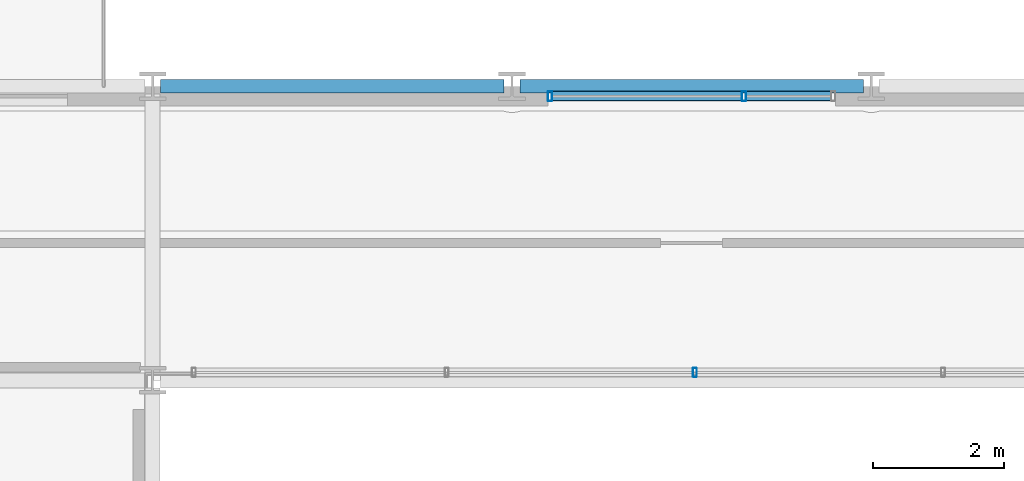
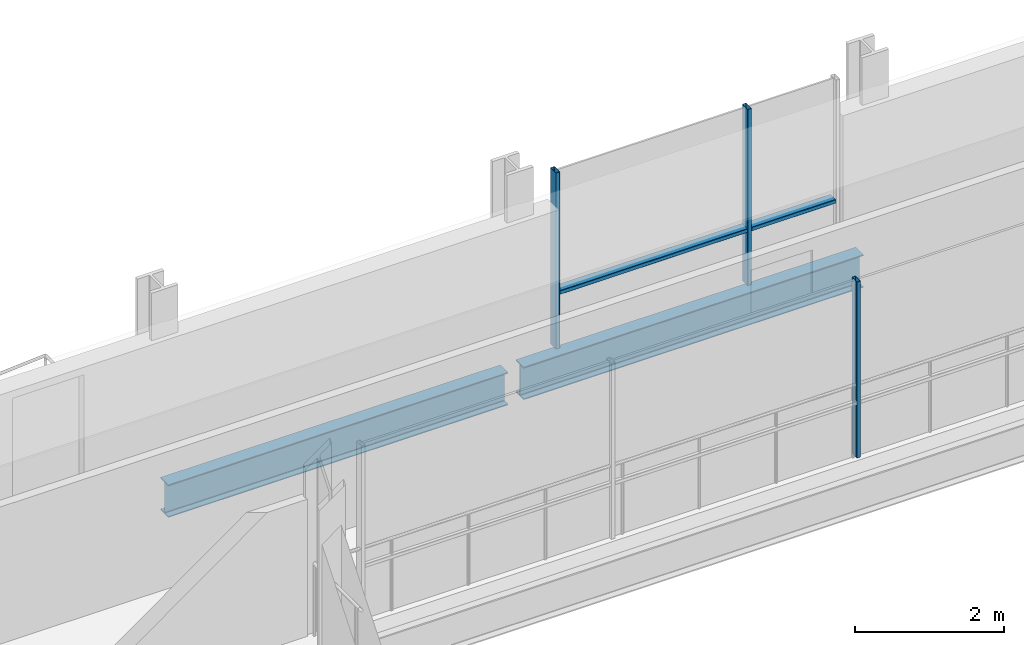
# One storey, part 11 of 39: 5 members, 2 beams, 2 elements without a shape of their own.
"""IFC4 building model written with IfcOpenShell, lengths in metres."""

from ifc_helpers import new_model, si_unit, direction, frame, origin, origin_2d, place, context, subcontext, project, spatial, hollow_rectangle, i_section, extrude, material, layer, layer_set, material_profile, profile_set, type_object, element, aggregate, save


model = new_model("IFC4")

# Units and contexts
model_context = context("Model", 3, precision=1e-05, world=origin(), true_north=direction((0.0, 1.0)))
body_context = subcontext(model_context, "Body", "Model", "MODEL_VIEW")
ifc_project = project(units=[si_unit("LENGTHUNIT", "METRE"), si_unit("AREAUNIT", "SQUARE_METRE"), si_unit("VOLUMEUNIT", "CUBIC_METRE"), si_unit("PLANEANGLEUNIT", "RADIAN"), si_unit("MASSUNIT", "GRAM", prefix="KILO")], contexts=[model_context])

# Site, building, storey
site_placement = place(None, origin())
site = spatial("IfcSite", under=ifc_project, at=site_placement, CompositionType="ELEMENT")
building_placement = place(site_placement, origin())
building = spatial("IfcBuilding", under=site, at=building_placement, Name="Brevholm Reach", CompositionType="ELEMENT")
storey_placement = place(building_placement, frame((0.0, 0.0, 115.89990234375)))
storey = spatial("IfcBuildingStorey", under=building, at=storey_placement, Name="L34", CompositionType="ELEMENT", Elevation=115.89990234375)

# Beams
ifc_material_1 = material(Name="Structural Steel S355J2", Category="steel")
ifc_material_profile_1 = material_profile(ifc_material_1, i_section(OverallWidth=0.209228515625, OverallDepth=0.533203125, WebThickness=0.010009765625, FlangeThickness=0.015625, FilletRadius=0.0126953125, at=origin_2d()), Name="UKB 533x210x92")
ifc_profile_set_1 = profile_set([ifc_material_profile_1], Name="Structural Steel S355J2")
beam_type = type_object("IfcBeamType", Name="BM-SP533", PredefinedType="SPANDREL", material=ifc_profile_set_1)
for number, where, z_axis, x_axis, name in (
    (1, (21.8701171875, 31.0, -0.486572265625), (1.0, 0.0, 0.0), (0.0, 1.0, 0.0), "L34 SP-02 Framing Beam"),
    (2, (27.3701171875, 31.0, -0.486572265625), (1.0, 0.0, 0.0), (0.0, 1.0, 0.0), "L34 SP-02 Framing Beam"),
):
    element("IfcBeam", number, at=place(storey_placement, frame(where, z_axis=z_axis, x_axis=x_axis)), inside=storey, type_object=beam_type, Name=name, PredefinedType="SPANDREL", context=body_context, shape_type="SweptSolid", body=[
        extrude(i_section(OverallWidth=0.209228515625, OverallDepth=0.533203125, WebThickness=0.010009765625, FlangeThickness=0.015625, FilletRadius=0.0126953125, at=origin_2d()), origin(), (0.0, 0.0, 1.0), 5.259765625),
    ])

# Curtain wall, member
ifc_material_2 = material(Name="Dark Anodised Aluminium 6063-T6 and Solar-Control Glass", Category="aluminium")
ifc_layer_1 = layer(ifc_material_2, 0.139892578125)
ifc_layer_set_1 = layer_set([ifc_layer_1], Name="Dark Anodised Aluminium 6063-T6 and Solar-Control Glass")
curtain_wall_type_1 = type_object("IfcCurtainWallType", Name="CW-02", PredefinedType="NOTDEFINED", material=ifc_layer_set_1)
curtain_wall_1_placement = place(storey_placement, origin())
curtain_wall_1 = element("IfcCurtainWall", 3, at=curtain_wall_1_placement, inside=storey, type_object=curtain_wall_type_1, Name="L34 Curtain Wall CW-02", PredefinedType="NOTDEFINED")
ifc_material_3 = material(Name="Dark Anodised Aluminium 6063-T6", Category="aluminium")
ifc_material_profile_2 = material_profile(ifc_material_3, hollow_rectangle(XDim=0.06005859375, YDim=0.139892578125, WallThickness=0.0048828125, InnerFilletRadius=0.0048828125, OuterFilletRadius=0.010009765625, at=origin_2d()), Name="RHS 140x60x5")
ifc_profile_set_2 = profile_set([ifc_material_profile_2], Name="Dark Anodised Aluminium 6063-T6")
member_type_1 = type_object("IfcMemberType", Name="CWM-140", PredefinedType="MULLION", material=ifc_profile_set_2)
member_1_placement = place(storey_placement, frame((30.050048828125, 26.6201171875, 0.0), z_axis=(0.0, 0.0, 1.0), x_axis=(-1.0, 0.0, 0.0)))
member_1 = element("IfcMember", 4, at=member_1_placement, type_object=member_type_1, Name="CM-140 Mullion 3", PredefinedType="MULLION", context=body_context, shape_type="SweptSolid", body=[
    extrude(hollow_rectangle(XDim=0.06005859375, YDim=0.139892578125, WallThickness=0.0048828125, InnerFilletRadius=0.0048828125, OuterFilletRadius=0.010009765625, at=origin_2d()), origin(), (0.0, 0.0, 1.0), 2.880126953125),
])
aggregate(curtain_wall_1, [member_1])

# Curtain wall, members
ifc_material_4 = material(Name="Dark Anodised Aluminium 6063-T6 and Solar-Control Glass", Category="aluminium")
ifc_layer_2 = layer(ifc_material_4, 0.14990234375)
ifc_layer_set_2 = layer_set([ifc_layer_2], Name="Dark Anodised Aluminium 6063-T6 and Solar-Control Glass")
curtain_wall_type_2 = type_object("IfcCurtainWallType", Name="CW-01", PredefinedType="NOTDEFINED", material=ifc_layer_set_2)
curtain_wall_2_placement = place(storey_placement, origin())
curtain_wall_2 = element("IfcCurtainWall", 5, at=curtain_wall_2_placement, inside=storey, type_object=curtain_wall_type_2, Name="L34 Curtain Wall CW-01", PredefinedType="NOTDEFINED")
ifc_material_5 = material(Name="Dark Anodised Aluminium 6063-T6", Category="aluminium")
ifc_material_profile_3 = material_profile(ifc_material_5, hollow_rectangle(XDim=0.06494140625, YDim=0.14990234375, WallThickness=0.0048828125, InnerFilletRadius=0.0048828125, OuterFilletRadius=0.010009765625, at=origin_2d()), Name="RHS 150x65x5")
ifc_profile_set_3 = profile_set([ifc_material_profile_3], Name="Dark Anodised Aluminium 6063-T6")
member_type_2 = type_object("IfcMemberType", Name="CWM-150", PredefinedType="MULLION", material=ifc_profile_set_3)
member_2_placement = place(storey_placement, frame((27.83251953125, 30.85009765625, 0.0), z_axis=(0.0, 0.0, 1.0), x_axis=(1.0, 0.0, 0.0)))
member_2 = element("IfcMember", 6, at=member_2_placement, type_object=member_type_2, Name="CM-150 Mullion 1", PredefinedType="MULLION", context=body_context, shape_type="SweptSolid", body=[
    extrude(hollow_rectangle(XDim=0.06494140625, YDim=0.14990234375, WallThickness=0.0048828125, InnerFilletRadius=0.0048828125, OuterFilletRadius=0.010009765625, at=origin_2d()), origin(), (0.0, 0.0, 1.0), 2.880126953125),
])
member_3_placement = place(storey_placement, frame((30.800048828125, 30.85009765625, 0.0), z_axis=(0.0, 0.0, 1.0), x_axis=(1.0, 0.0, 0.0)))
member_3 = element("IfcMember", 7, at=member_3_placement, type_object=member_type_2, Name="CM-150 Mullion 2", PredefinedType="MULLION", context=body_context, shape_type="SweptSolid", body=[
    extrude(hollow_rectangle(XDim=0.06494140625, YDim=0.14990234375, WallThickness=0.0048828125, InnerFilletRadius=0.0048828125, OuterFilletRadius=0.010009765625, at=origin_2d()), origin(), (0.0, 0.0, 1.0), 2.880126953125),
])
ifc_material_6 = material(Name="Dark Anodised Aluminium 6063-T6", Category="aluminium")
ifc_material_profile_4 = material_profile(ifc_material_6, hollow_rectangle(XDim=0.06494140625, YDim=0.14990234375, WallThickness=0.0048828125, InnerFilletRadius=0.0048828125, OuterFilletRadius=0.010009765625, at=origin_2d()), Name="RHS 150x65x5")
ifc_profile_set_4 = profile_set([ifc_material_profile_4], Name="Dark Anodised Aluminium 6063-T6")
member_type_3 = type_object("IfcMemberType", Name="CWT-150", PredefinedType="NOTDEFINED", material=ifc_profile_set_4)
member_4_placement = place(storey_placement, frame((27.864990234375, 30.85009765625, 0.900146484375), z_axis=(1.0, 0.0, 0.0), x_axis=(0.0, 0.0, 1.0)))
member_4 = element("IfcMember", 8, at=member_4_placement, type_object=member_type_3, Name="CT-150 Transom 1.1", ObjectType="TRANSOM", PredefinedType="USERDEFINED", context=body_context, shape_type="SweptSolid", body=[
    extrude(hollow_rectangle(XDim=0.06494140625, YDim=0.14990234375, WallThickness=0.0048828125, InnerFilletRadius=0.0048828125, OuterFilletRadius=0.010009765625, at=origin_2d()), origin(), (0.0, 0.0, 1.0), 2.902587890625),
])
member_5_placement = place(storey_placement, frame((30.83251953125, 30.85009765625, 0.900146484375), z_axis=(1.0, 0.0, 0.0), x_axis=(0.0, 0.0, 1.0)))
member_5 = element("IfcMember", 9, at=member_5_placement, type_object=member_type_3, Name="CT-150 Transom 2.1", ObjectType="TRANSOM", PredefinedType="USERDEFINED", context=body_context, shape_type="SweptSolid", body=[
    extrude(hollow_rectangle(XDim=0.06494140625, YDim=0.14990234375, WallThickness=0.0048828125, InnerFilletRadius=0.0048828125, OuterFilletRadius=0.010009765625, at=origin_2d()), origin(), (0.0, 0.0, 1.0), 1.302490234375),
])
aggregate(curtain_wall_2, [member_2, member_3, member_4, member_5])

save(model, "model.ifc")
